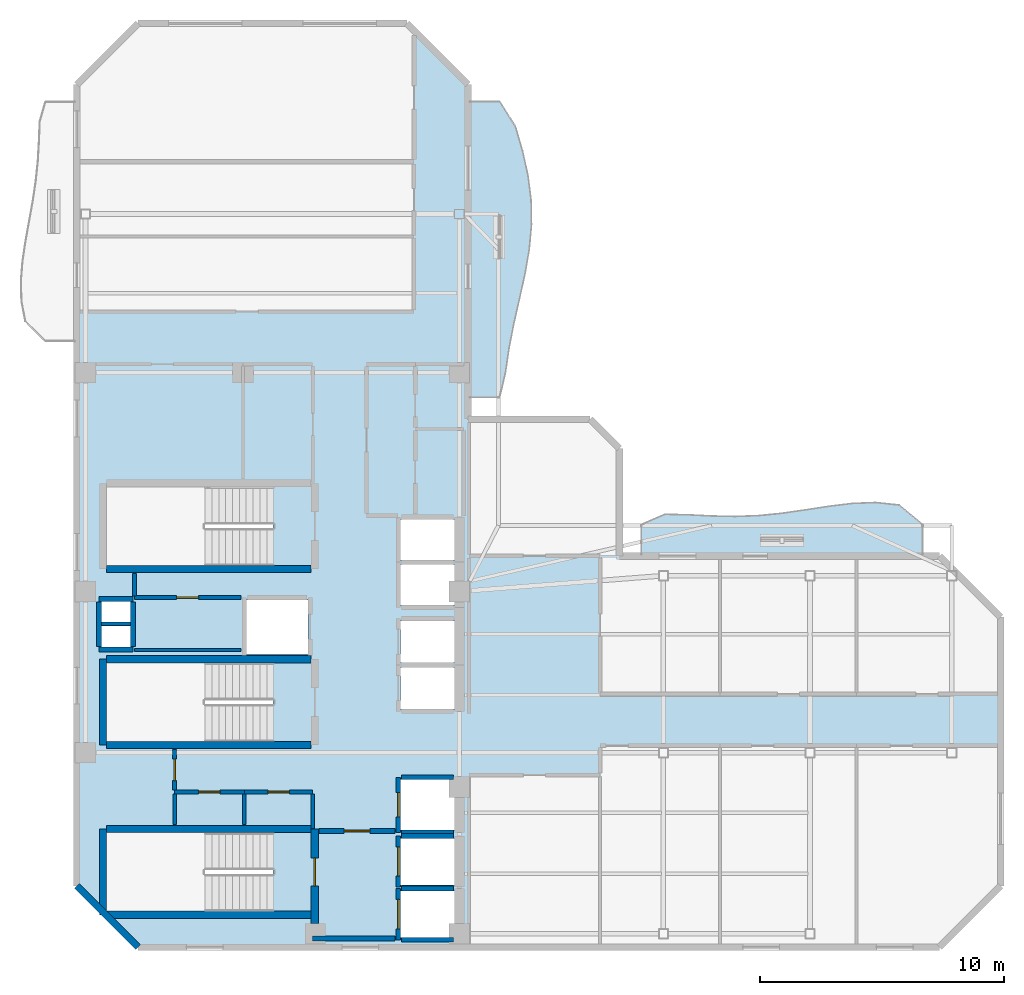
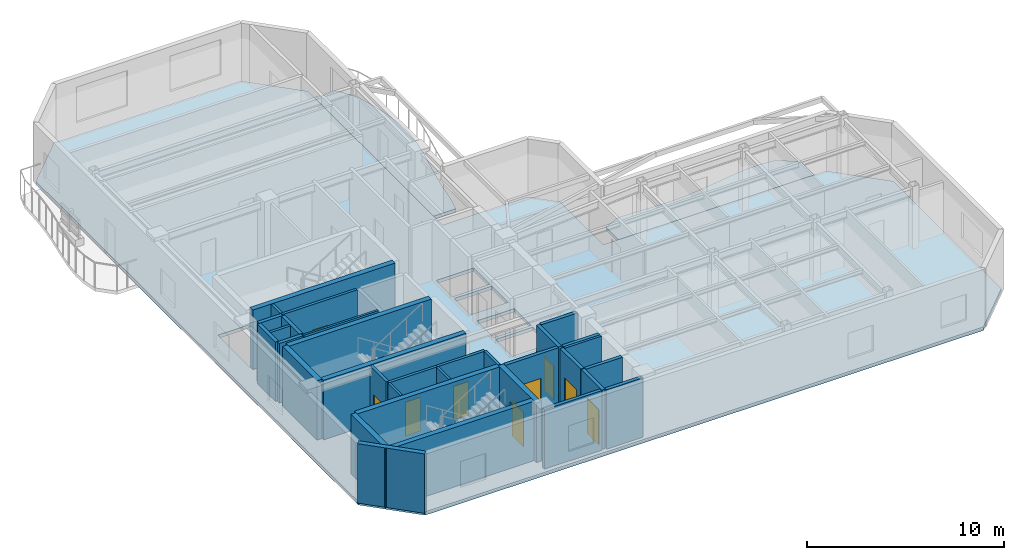
# One storey, part 2 of 7: 33 walls, 9 doors, 3 slabs, 9 openings.
"""IFC4 building model written with IfcOpenShell, lengths in metres."""

from ifc_helpers import new_model, si_unit, direction, frame, frame_2d, origin, place, context, subcontext, project, spatial, polyline, rectangle, outline, extrude, material, layer, layer_set, type_object, element, fill, save


model = new_model("IFC4")

# Units and contexts
model_context = context("Model", 3, precision=1e-05, world=origin(), true_north=direction((0.0, 1.0)))
body_context = subcontext(model_context, "Body", "Model", "MODEL_VIEW")
ifc_project = project(units=[si_unit("LENGTHUNIT", "METRE"), si_unit("AREAUNIT", "SQUARE_METRE"), si_unit("VOLUMEUNIT", "CUBIC_METRE"), si_unit("PLANEANGLEUNIT", "RADIAN"), si_unit("MASSUNIT", "GRAM", prefix="KILO")], contexts=[model_context])

# Site, building, storey
site_placement = place(None, origin())
site = spatial("IfcSite", under=ifc_project, at=site_placement, CompositionType="ELEMENT")
building_placement = place(site_placement, origin())
building = spatial("IfcBuilding", under=site, at=building_placement, Name="Mawjaban Terraces University", CompositionType="ELEMENT")
storey_placement = place(building_placement, frame((0.0, 0.0, 298.89990234375)))
storey = spatial("IfcBuildingStorey", under=building, at=storey_placement, Name="L73", CompositionType="ELEMENT", Elevation=298.89990234375)

# Slabs
ifc_material_1 = material(Name="Concrete C40/50", Category="concrete")
ifc_layer_1 = layer(ifc_material_1, 0.2099609375)
ifc_layer_set_1 = layer_set([ifc_layer_1], Name="Concrete C40/50")
slab_type_1 = type_object("IfcSlabType", Name="BalconySlab_210_Ext", PredefinedType="FLOOR", material=ifc_layer_set_1)
slab_1_placement = place(storey_placement, frame((0.0, 0.0, -0.2099609375)))
element("IfcSlab", 1, at=slab_1_placement, inside=storey, type_object=slab_type_1, Name="L73 Planted Balcony Slab inner_north", PredefinedType="FLOOR", context=body_context, shape_type="SweptSolid", body=[
    extrude(outline(polyline([(45.10009765625, 15.989990234375), (56.60009765625, 15.989990234375), (56.60009765625, 17.300048828125), (55.64208984375, 18.091064453125), (54.68310546875, 18.193115234375), (53.72509765625, 18.156005859375), (52.76708984375, 18.0390625), (51.80810546875, 17.89111328125), (50.85009765625, 17.751953125), (49.89208984375, 17.656982421875), (48.93310546875, 17.6220703125), (47.97509765625, 17.64208984375), (47.01708984375, 17.68994140625), (46.05810546875, 17.7099609375), (45.10009765625, 17.300048828125), (45.10009765625, 15.989990234375)])), origin(), (0.0, 0.0, 1.0), 0.2099609375),
])
slab_2_placement = place(storey_placement, frame((0.0, 0.0, -0.2099609375)))
element("IfcSlab", 2, at=slab_2_placement, inside=storey, type_object=slab_type_1, Name="L73 Planted Balcony Slab inner_east", PredefinedType="FLOOR", context=body_context, shape_type="SweptSolid", body=[
    extrude(outline(polyline([(39.300048828125, 22.5), (39.534912109375, 23.508056640625), (39.68310546875, 24.51708984375), (39.8798828125, 25.52490234375), (40.10888671875, 26.532958984375), (40.3330078125, 27.5419921875), (40.509033203125, 28.550048828125), (40.60009765625, 29.55810546875), (40.583984375, 30.56689453125), (40.4560546875, 31.574951171875), (40.23388671875, 32.5830078125), (39.93603515625, 33.592041015625), (39.300048828125, 34.60009765625), (37.989990234375, 34.60009765625), (37.989990234375, 22.5), (39.300048828125, 22.5)])), origin(), (0.0, 0.0, 1.0), 0.2099609375),
])
ifc_layer_2 = layer(ifc_material_1, 0.2099609375)
ifc_layer_set_2 = layer_set([ifc_layer_2], Name="Concrete C40/50")
slab_type_2 = type_object("IfcSlabType", Name="CompositeSlab_210", PredefinedType="FLOOR", material=ifc_layer_set_2)
slab_3_placement = place(storey_placement, frame((0.0, 0.0, -0.2099609375)))
element("IfcSlab", 3, at=slab_3_placement, inside=storey, type_object=slab_type_2, Name="L73 Primary Structural Slab", PredefinedType="FLOOR", context=body_context, shape_type="SweptSolid", body=[
    extrude(outline(polyline([(24.5, 0.0), (57.300048828125, 0.0), (59.800048828125, 2.5), (59.800048828125, 13.5), (57.300048828125, 16.0), (44.199951171875, 16.0), (44.199951171875, 20.39990234375), (43.0, 21.60009765625), (38.0, 21.60009765625), (38.0, 35.300048828125), (35.5, 37.800048828125), (24.5, 37.800048828125), (22.0, 35.300048828125), (22.0, 2.5), (24.5, 0.0)]), holes=[polyline([(30.014892578125, 4.699951171875), (23.199951171875, 4.699951171875), (23.199951171875, 1.449951171875), (30.014892578125, 1.449951171875), (30.014892578125, 4.699951171875)]), polyline([(30.014892578125, 18.85009765625), (23.199951171875, 18.85009765625), (23.199951171875, 15.60009765625), (30.014892578125, 15.60009765625), (30.014892578125, 18.85009765625)]), polyline([(30.014892578125, 11.64990234375), (23.199951171875, 11.64990234375), (23.199951171875, 8.39990234375), (30.014892578125, 8.39990234375), (30.014892578125, 11.64990234375)]), polyline([(35.25, 0.39990234375), (37.449951171875, 0.39990234375), (37.449951171875, 2.300048828125), (35.25, 2.300048828125), (35.25, 0.39990234375)]), polyline([(35.25, 2.550048828125), (37.449951171875, 2.550048828125), (37.449951171875, 4.449951171875), (35.25, 4.449951171875), (35.25, 2.550048828125)]), polyline([(35.25, 4.800048828125), (37.449951171875, 4.800048828125), (37.449951171875, 6.85009765625), (35.25, 6.85009765625), (35.25, 4.800048828125)]), polyline([(35.25, 9.75), (37.449951171875, 9.75), (37.449951171875, 11.449951171875), (35.25, 11.449951171875), (35.25, 9.75)]), polyline([(35.25, 11.64990234375), (37.449951171875, 11.64990234375), (37.449951171875, 13.35009765625), (35.25, 13.35009765625), (35.25, 11.64990234375)]), polyline([(28.949951171875, 12.0), (31.449951171875, 12.0), (31.449951171875, 14.199951171875), (28.949951171875, 14.199951171875), (28.949951171875, 12.0)]), polyline([(35.25, 14.0), (37.449951171875, 14.0), (37.449951171875, 15.64990234375), (35.25, 15.64990234375), (35.25, 14.0)]), polyline([(35.25, 15.85009765625), (37.449951171875, 15.85009765625), (37.449951171875, 17.5), (35.25, 17.5), (35.25, 15.85009765625)]), polyline([(23.0, 12.25), (24.199951171875, 12.25), (24.199951171875, 13.14990234375), (23.0, 13.14990234375), (23.0, 12.25)]), polyline([(23.0, 13.300048828125), (24.199951171875, 13.300048828125), (24.199951171875, 14.179931640625), (23.0, 14.179931640625), (23.0, 13.300048828125)])]), origin(), (0.0, 0.0, 1.0), 0.2099609375),
])

# Wall, opening, door
ifc_material_2 = material(Name="Fire-rated gypsum board on steel stud", Category="steel")
ifc_layer_3 = layer(ifc_material_2, 0.159912109375)
ifc_layer_set_3 = layer_set([ifc_layer_3], Name="Fire-rated gypsum board on steel stud")
wall_type_1 = type_object("IfcWallType", Name="CorridorPartition_160", PredefinedType="PARTITIONING", material=ifc_layer_set_3)
wall_1_placement = place(storey_placement, frame((24.35009765625, 14.300048828125, 0.0), z_axis=(0.0, 0.0, 1.0), x_axis=(1.0, 0.0, 0.0)))
wall_1 = element("IfcWall", 4, at=wall_1_placement, inside=storey, type_object=wall_type_1, Name="L73 Core Riser Access Passage Partition 2", PredefinedType="PARTITIONING", context=body_context, shape_type="SweptSolid", body=[
    extrude(rectangle(XDim=4.369873046875, YDim=0.159912109375, at=frame_2d((2.18505859375, 0.0))), origin(), (0.0, 0.0, 1.0), 3.690185546875),
])
opening_1_placement = place(wall_1_placement, frame((1.735107421875, 0.0, 0.0)))
opening_1 = element("IfcOpeningElement", 5, at=opening_1_placement, cuts=wall_1, Name="Opening ID-090", PredefinedType="OPENING", context=body_context, shape_type="SweptSolid", body=[
    extrude(rectangle(XDim=0.89990234375, YDim=2.10009765625, at=frame_2d((0.449951171875, 1.050048828125))), frame((0.0, 0.08984375, 0.0), z_axis=(0.0, -1.0, 0.0), x_axis=(1.0, 0.0, 0.0)), (0.0, 0.0, 1.0), 0.179931640625),
])
ifc_material_3 = material(Name="Powder-coated steel frame and solid acoustic timber leaf", Category="steel")
door_type_1 = type_object("IfcDoorType", Name="OfficeDoor_900x2100", OperationType="NOTDEFINED", PredefinedType="DOOR", material=ifc_material_3)
door_1_placement = place(opening_1_placement, origin())
door_1 = element("IfcDoor", 6, at=door_1_placement, inside=storey, type_object=door_type_1, Name="L73 Cleaner Store Door", OperationType="SINGLE_SWING_LEFT", OverallHeight=2.10009765625, OverallWidth=0.89990234375, PredefinedType="DOOR", context=body_context, shape_type="SweptSolid", body=[
    extrude(rectangle(XDim=0.89990234375, YDim=2.10009765625, at=frame_2d((0.449951171875, 1.050048828125))), frame((0.0, 0.02490234375, 0.0), z_axis=(0.0, -1.0, 0.0), x_axis=(1.0, 0.0, 0.0)), (0.0, 0.0, 1.0), 0.050048828125),
])
fill(opening_1, door_1)

wall_2_placement = place(storey_placement, frame((26.0, 6.35009765625, 0.0), z_axis=(0.0, 0.0, 1.0), x_axis=(1.0, 0.0, 0.0)))
wall_2 = element("IfcWall", 7, at=wall_2_placement, inside=storey, type_object=wall_type_1, Name="L73 Core Washroom Lobby Partition 3", PredefinedType="PARTITIONING", context=body_context, shape_type="SweptSolid", body=[
    extrude(rectangle(XDim=2.85009765625, YDim=0.159912109375, at=frame_2d((1.425048828125, 0.0))), origin(), (0.0, 0.0, 1.0), 3.690185546875),
])
opening_2_placement = place(wall_2_placement, frame((0.985107421875, 0.0, 0.0)))
opening_2 = element("IfcOpeningElement", 8, at=opening_2_placement, cuts=wall_2, Name="Opening ID-088", PredefinedType="OPENING", context=body_context, shape_type="SweptSolid", body=[
    extrude(rectangle(XDim=0.8798828125, YDim=2.10009765625, at=frame_2d((0.43994140625, 1.050048828125))), frame((0.0, 0.08984375, 0.0), z_axis=(0.0, -1.0, 0.0), x_axis=(1.0, 0.0, 0.0)), (0.0, 0.0, 1.0), 0.179931640625),
])
door_type_2 = type_object("IfcDoorType", Name="ToiletDoor_880x2100", OperationType="NOTDEFINED", PredefinedType="DOOR", material=ifc_material_3)
door_2_placement = place(opening_2_placement, origin())
door_2 = element("IfcDoor", 9, at=door_2_placement, inside=storey, type_object=door_type_2, Name="L73 Male Toilet Door", OperationType="SINGLE_SWING_LEFT", OverallHeight=2.10009765625, OverallWidth=0.8798828125, PredefinedType="DOOR", context=body_context, shape_type="SweptSolid", body=[
    extrude(rectangle(XDim=0.8798828125, YDim=2.10009765625, at=frame_2d((0.43994140625, 1.050048828125))), frame((0.0, 0.02490234375, 0.0), z_axis=(0.0, -1.0, 0.0), x_axis=(1.0, 0.0, 0.0)), (0.0, 0.0, 1.0), 0.050048828125),
])
fill(opening_2, door_2)

wall_3_placement = place(storey_placement, frame((28.85009765625, 6.35009765625, 0.0), z_axis=(0.0, 0.0, 1.0), x_axis=(1.0, 0.0, 0.0)))
wall_3 = element("IfcWall", 10, at=wall_3_placement, inside=storey, type_object=wall_type_1, Name="L73 Core Washroom Lobby Partition 5", PredefinedType="PARTITIONING", context=body_context, shape_type="SweptSolid", body=[
    extrude(rectangle(XDim=2.7998046875, YDim=0.159912109375, at=frame_2d((1.39990234375, 0.0))), origin(), (0.0, 0.0, 1.0), 3.690185546875),
])
opening_3_placement = place(wall_3_placement, frame((0.9599609375, 0.0, 0.0)))
opening_3 = element("IfcOpeningElement", 11, at=opening_3_placement, cuts=wall_3, Name="Opening ID-088", PredefinedType="OPENING", context=body_context, shape_type="SweptSolid", body=[
    extrude(rectangle(XDim=0.8798828125, YDim=2.10009765625, at=frame_2d((0.43994140625, 1.050048828125))), frame((0.0, 0.08984375, 0.0), z_axis=(0.0, -1.0, 0.0), x_axis=(1.0, 0.0, 0.0)), (0.0, 0.0, 1.0), 0.179931640625),
])
door_3_placement = place(opening_3_placement, origin())
door_3 = element("IfcDoor", 12, at=door_3_placement, inside=storey, type_object=door_type_2, Name="L73 Accessible Toilet Door", OperationType="SINGLE_SWING_RIGHT", OverallHeight=2.10009765625, OverallWidth=0.8798828125, PredefinedType="DOOR", context=body_context, shape_type="SweptSolid", body=[
    extrude(rectangle(XDim=0.8798828125, YDim=2.10009765625, at=frame_2d((0.43994140625, 1.050048828125))), frame((0.0, 0.02490234375, 0.0), z_axis=(0.0, -1.0, 0.0), x_axis=(1.0, 0.0, 0.0)), (0.0, 0.0, 1.0), 0.050048828125),
])
fill(opening_3, door_3)

# Wall
wall_4_placement = place(storey_placement, frame((24.35009765625, 15.2900390625, 0.0), z_axis=(0.0, 0.0, 1.0), x_axis=(0.0, -1.0, 0.0)))
element("IfcWall", 13, at=wall_4_placement, inside=storey, type_object=wall_type_1, Name="L73 Core Riser Access Passage Partition 24", PredefinedType="PARTITIONING", context=body_context, shape_type="SweptSolid", body=[
    extrude(rectangle(XDim=0.9150390625, YDim=0.159912109375, at=frame_2d((0.45751953125, 0.0))), origin(), (0.0, 0.0, 1.0), 3.690185546875),
])

# Wall, opening, door
wall_5_placement = place(storey_placement, frame((26.0, 8.090087890625, 0.0), z_axis=(0.0, 0.0, 1.0), x_axis=(0.0, -1.0, 0.0)))
wall_5 = element("IfcWall", 14, at=wall_5_placement, inside=storey, type_object=wall_type_1, Name="L73 Core Washroom Lobby Partition 26", PredefinedType="PARTITIONING", context=body_context, shape_type="SweptSolid", body=[
    extrude(rectangle(XDim=1.6650390625, YDim=0.159912109375, at=frame_2d((0.83251953125, 0.0))), origin(), (0.0, 0.0, 1.0), 3.690185546875),
])
opening_4_placement = place(wall_5_placement, frame((0.39306640625, 0.0, 0.0)))
opening_4 = element("IfcOpeningElement", 15, at=opening_4_placement, cuts=wall_5, Name="Opening ID-088", PredefinedType="OPENING", context=body_context, shape_type="SweptSolid", body=[
    extrude(rectangle(XDim=0.8798828125, YDim=2.10009765625, at=frame_2d((0.43994140625, 1.050048828125))), frame((0.0, 0.08984375, 0.0), z_axis=(0.0, -1.0, 0.0), x_axis=(1.0, 0.0, 0.0)), (0.0, 0.0, 1.0), 0.179931640625),
])
door_4_placement = place(opening_4_placement, origin())
door_4 = element("IfcDoor", 16, at=door_4_placement, inside=storey, type_object=door_type_2, Name="L73 Ablution Room Door", OperationType="SINGLE_SWING_RIGHT", OverallHeight=2.10009765625, OverallWidth=0.8798828125, PredefinedType="DOOR", context=body_context, shape_type="SweptSolid", body=[
    extrude(rectangle(XDim=0.8798828125, YDim=2.10009765625, at=frame_2d((0.43994140625, 1.050048828125))), frame((0.0, 0.02490234375, 0.0), z_axis=(0.0, -1.0, 0.0), x_axis=(1.0, 0.0, 0.0)), (0.0, 0.0, 1.0), 0.050048828125),
])
fill(opening_4, door_4)

# Walls
wall_6_placement = place(storey_placement, frame((31.64990234375, 4.860107421875, 0.0), z_axis=(0.0, 0.0, 1.0), x_axis=(0.0, 1.0, 0.0)))
element("IfcWall", 17, at=wall_6_placement, inside=storey, type_object=wall_type_1, Name="L73 Accessible Toilet Partition 29", PredefinedType="PARTITIONING", context=body_context, shape_type="SweptSolid", body=[
    extrude(rectangle(XDim=1.414794921875, YDim=0.159912109375, at=frame_2d((0.70751953125, 0.0))), origin(), (0.0, 0.0, 1.0), 3.690185546875),
])
ifc_material_4 = material(Name="Insulated terracotta rainscreen on concrete backup C40/50", Category="masonry")
ifc_layer_4 = layer(ifc_material_4, 0.27490234375)
ifc_layer_set_4 = layer_set([ifc_layer_4], Name="Insulated terracotta rainscreen on concrete backup C40/50")
wall_type_2 = type_object("IfcWallType", Name="ExtTerracottaWall_275", PredefinedType="SOLIDWALL", material=ifc_layer_set_4)
wall_7_placement = place(storey_placement, frame((22.0, 2.5, 0.0), z_axis=(0.0, 0.0, 1.0), x_axis=(0.707106781187, -0.707106781187, 0.0)))
element("IfcWall", 18, at=wall_7_placement, inside=storey, type_object=wall_type_2, Name="L73 Exterior Terracotta Wall 14", PredefinedType="SOLIDWALL", context=body_context, shape_type="SweptSolid", body=[
    extrude(rectangle(XDim=3.53564453125, YDim=0.27490234375, at=frame_2d((1.767822265625, 0.0))), origin(), (0.0, 0.0, 1.0), 3.690185546875),
])

# Wall, opening, door
ifc_layer_5 = layer(ifc_material_1, 0.199951171875)
ifc_layer_set_5 = layer_set([ifc_layer_5], Name="Concrete C40/50")
wall_type_3 = type_object("IfcWallType", Name="FireLobbyWall_200", PredefinedType="SOLIDWALL", material=ifc_layer_set_5)
wall_8_placement = place(storey_placement, frame((35.14990234375, 2.39990234375, 0.0), z_axis=(0.0, 0.0, 1.0), x_axis=(0.0, -1.0, 0.0)))
wall_8 = element("IfcWall", 19, at=wall_8_placement, inside=storey, type_object=wall_type_3, Name="L73 Lift FL-1 Hoistway Wall West", PredefinedType="SOLIDWALL", context=body_context, shape_type="SweptSolid", body=[
    extrude(rectangle(XDim=2.099853515625, YDim=0.199951171875, at=frame_2d((1.0498046875, 0.0))), origin(), (0.0, 0.0, 1.0), 3.690185546875),
])
opening_5_placement = place(wall_8_placement, frame((0.449951171875, 0.0, 0.0)))
opening_5 = element("IfcOpeningElement", 20, at=opening_5_placement, cuts=wall_8, Name="Opening LD-FL-1", PredefinedType="OPENING", context=body_context, shape_type="SweptSolid", body=[
    extrude(rectangle(XDim=1.199951171875, YDim=2.14990234375, at=frame_2d((0.60009765625, 1.074951171875))), frame((0.0, 0.10986328125, 0.0), z_axis=(0.0, -1.0, 0.0), x_axis=(1.0, 0.0, 0.0)), (0.0, 0.0, 1.0), 0.219970703125),
])
ifc_material_5 = material(Name="Powder-coated steel frame and fire-rated steel-faced leaf", Category="steel")
door_type_3 = type_object("IfcDoorType", Name="LiftLandingFSAE_1200x2150", OperationType="NOTDEFINED", PredefinedType="DOOR", material=ifc_material_5)
door_5_placement = place(opening_5_placement, origin())
door_5 = element("IfcDoor", 21, at=door_5_placement, inside=storey, type_object=door_type_3, Name="L73 Lift FL-1 Sliding Landing Door", OperationType="DOUBLE_DOOR_SLIDING", OverallHeight=2.14990234375, OverallWidth=1.199951171875, PredefinedType="DOOR", context=body_context, shape_type="SweptSolid", body=[
    extrude(rectangle(XDim=1.199951171875, YDim=2.14990234375, at=frame_2d((0.60009765625, 1.074951171875))), frame((0.0, 0.02490234375, 0.0), z_axis=(0.0, -1.0, 0.0), x_axis=(1.0, 0.0, 0.0)), (0.0, 0.0, 1.0), 0.050048828125),
])
fill(opening_5, door_5)

# Walls
for number, where, z_axis, x_axis, name in (
    (22, (35.280029296875, 0.300048828125, 0.0), (0.0, 0.0, 1.0), (1.0, 0.0, 0.0), "L73 Lift FL-1 Hoistway Wall South"),
    (23, (37.419921875, 2.39990234375, 0.0), (0.0, 0.0, 1.0), (-1.0, 0.0, 0.0), "L73 Lift FL-1 Hoistway Wall North"),
):
    element("IfcWall", number, at=place(storey_placement, frame(where, z_axis=z_axis, x_axis=x_axis)), inside=storey, type_object=wall_type_3, Name=name, PredefinedType="SOLIDWALL", context=body_context, shape_type="SweptSolid", body=[
        extrude(rectangle(XDim=2.139892578125, YDim=0.199951171875, at=frame_2d((1.06982421875, 0.0))), origin(), (0.0, 0.0, 1.0), 3.690185546875),
    ])

# Wall, opening, door
wall_9_placement = place(storey_placement, frame((35.14990234375, 4.550048828125, 0.0), z_axis=(0.0, 0.0, 1.0), x_axis=(0.0, -1.0, 0.0)))
wall_9 = element("IfcWall", 24, at=wall_9_placement, inside=storey, type_object=wall_type_3, Name="L73 Lift FL-2 Hoistway Wall West", PredefinedType="SOLIDWALL", context=body_context, shape_type="SweptSolid", body=[
    extrude(rectangle(XDim=2.10009765625, YDim=0.199951171875, at=frame_2d((1.050048828125, 0.0))), origin(), (0.0, 0.0, 1.0), 3.690185546875),
])
opening_6_placement = place(wall_9_placement, frame((0.449951171875, 0.0, 0.0)))
opening_6 = element("IfcOpeningElement", 25, at=opening_6_placement, cuts=wall_9, Name="Opening LD-FL-2", PredefinedType="OPENING", context=body_context, shape_type="SweptSolid", body=[
    extrude(rectangle(XDim=1.199951171875, YDim=2.14990234375, at=frame_2d((0.60009765625, 1.074951171875))), frame((0.0, 0.10986328125, 0.0), z_axis=(0.0, -1.0, 0.0), x_axis=(1.0, 0.0, 0.0)), (0.0, 0.0, 1.0), 0.219970703125),
])
door_6_placement = place(opening_6_placement, origin())
door_6 = element("IfcDoor", 26, at=door_6_placement, inside=storey, type_object=door_type_3, Name="L73 Lift FL-2 Sliding Landing Door", OperationType="DOUBLE_DOOR_SLIDING", OverallHeight=2.14990234375, OverallWidth=1.199951171875, PredefinedType="DOOR", context=body_context, shape_type="SweptSolid", body=[
    extrude(rectangle(XDim=1.199951171875, YDim=2.14990234375, at=frame_2d((0.60009765625, 1.074951171875))), frame((0.0, 0.02490234375, 0.0), z_axis=(0.0, -1.0, 0.0), x_axis=(1.0, 0.0, 0.0)), (0.0, 0.0, 1.0), 0.050048828125),
])
fill(opening_6, door_6)

# Wall
wall_10_placement = place(storey_placement, frame((37.419921875, 4.550048828125, 0.0), z_axis=(0.0, 0.0, 1.0), x_axis=(-1.0, 0.0, 0.0)))
element("IfcWall", 27, at=wall_10_placement, inside=storey, type_object=wall_type_3, Name="L73 Lift FL-2 Hoistway Wall North", PredefinedType="SOLIDWALL", context=body_context, shape_type="SweptSolid", body=[
    extrude(rectangle(XDim=2.139892578125, YDim=0.199951171875, at=frame_2d((1.06982421875, 0.0))), origin(), (0.0, 0.0, 1.0), 3.690185546875),
])

# Wall, opening, door
wall_11_placement = place(storey_placement, frame((35.14990234375, 6.949951171875, 0.0), z_axis=(0.0, 0.0, 1.0), x_axis=(0.0, -1.0, 0.0)))
wall_11 = element("IfcWall", 28, at=wall_11_placement, inside=storey, type_object=wall_type_3, Name="L73 Lift SL-1 Hoistway Wall West", PredefinedType="SOLIDWALL", context=body_context, shape_type="SweptSolid", body=[
    extrude(rectangle(XDim=2.25, YDim=0.199951171875, at=frame_2d((1.125, 0.0))), origin(), (0.0, 0.0, 1.0), 3.690185546875),
])
opening_7_placement = place(wall_11_placement, frame((0.625, 0.0, 0.0)))
opening_7 = element("IfcOpeningElement", 29, at=opening_7_placement, cuts=wall_11, Name="Opening LD-SL-1", PredefinedType="OPENING", context=body_context, shape_type="SweptSolid", body=[
    extrude(rectangle(XDim=1.0, YDim=2.10009765625, at=frame_2d((0.5, 1.050048828125))), frame((0.0, 0.10986328125, 0.0), z_axis=(0.0, -1.0, 0.0), x_axis=(1.0, 0.0, 0.0)), (0.0, 0.0, 1.0), 0.219970703125),
])
door_type_4 = type_object("IfcDoorType", Name="LiftLandingSliding_1000x2100", OperationType="NOTDEFINED", PredefinedType="DOOR", material=ifc_material_5)
door_7_placement = place(opening_7_placement, origin())
door_7 = element("IfcDoor", 30, at=door_7_placement, inside=storey, type_object=door_type_4, Name="L73 Lift SL-1 Sliding Landing Door", OperationType="DOUBLE_DOOR_SLIDING", OverallHeight=2.10009765625, OverallWidth=1.0, PredefinedType="DOOR", context=body_context, shape_type="SweptSolid", body=[
    extrude(rectangle(XDim=1.0, YDim=2.10009765625, at=frame_2d((0.5, 1.050048828125))), frame((0.0, 0.02490234375, 0.0), z_axis=(0.0, -1.0, 0.0), x_axis=(1.0, 0.0, 0.0)), (0.0, 0.0, 1.0), 0.050048828125),
])
fill(opening_7, door_7)

# Walls
for number, where, z_axis, x_axis, name in (
    (31, (35.280029296875, 4.699951171875, 0.0), (0.0, 0.0, 1.0), (1.0, 0.0, 0.0), "L73 Lift SL-1 Hoistway Wall South"),
    (32, (37.419921875, 6.949951171875, 0.0), (0.0, 0.0, 1.0), (-1.0, 0.0, 0.0), "L73 Lift SL-1 Hoistway Wall North"),
):
    element("IfcWall", number, at=place(storey_placement, frame(where, z_axis=z_axis, x_axis=x_axis)), inside=storey, type_object=wall_type_3, Name=name, PredefinedType="SOLIDWALL", context=body_context, shape_type="SweptSolid", body=[
        extrude(rectangle(XDim=2.139892578125, YDim=0.199951171875, at=frame_2d((1.06982421875, 0.0))), origin(), (0.0, 0.0, 1.0), 3.690185546875),
    ])
for number, where, z_axis, x_axis, name in (
    (33, (22.89990234375, 14.25, 0.0), (0.0, 0.0, 1.0), (1.0, 0.0, 0.0), "L73 MEP Riser Shaft Wall N"),
    (34, (22.89990234375, 12.179931640625, 0.0), (0.0, 0.0, 1.0), (1.0, 0.0, 0.0), "L73 MEP Riser Shaft Wall S"),
):
    element("IfcWall", number, at=place(storey_placement, frame(where, z_axis=z_axis, x_axis=x_axis)), inside=storey, type_object=wall_type_3, Name=name, PredefinedType="SOLIDWALL", context=body_context, shape_type="SweptSolid", body=[
        extrude(rectangle(XDim=1.400146484375, YDim=0.199951171875, at=frame_2d((0.7001953125, 0.0))), origin(), (0.0, 0.0, 1.0), 3.690185546875),
    ])
for number, where, z_axis, x_axis, name in (
    (35, (24.300048828125, 12.300048828125, 0.0), (0.0, 0.0, 1.0), (0.0, 1.0, 0.0), "L73 MEP Riser Shaft Wall E"),
    (36, (22.89990234375, 12.300048828125, 0.0), (0.0, 0.0, 1.0), (0.0, 1.0, 0.0), "L73 MEP Riser Shaft Wall W"),
):
    element("IfcWall", number, at=place(storey_placement, frame(where, z_axis=z_axis, x_axis=x_axis)), inside=storey, type_object=wall_type_3, Name=name, PredefinedType="SOLIDWALL", context=body_context, shape_type="SweptSolid", body=[
        extrude(rectangle(XDim=1.829833984375, YDim=0.199951171875, at=frame_2d((0.9150390625, 0.0))), origin(), (0.0, 0.0, 1.0), 3.690185546875),
    ])
wall_12_placement = place(storey_placement, frame((31.64990234375, 0.35009765625, 0.0), z_axis=(0.0, 0.0, 1.0), x_axis=(1.0, 0.0, 0.0)))
element("IfcWall", 37, at=wall_12_placement, inside=storey, type_object=wall_type_3, Name="L73 Firefighting Lift Lobby Partition 6", PredefinedType="SOLIDWALL", context=body_context, shape_type="SweptSolid", body=[
    extrude(rectangle(XDim=3.3701171875, YDim=0.199951171875, at=frame_2d((1.68505859375, 0.0))), origin(), (0.0, 0.0, 1.0), 3.690185546875),
])

# Wall, opening, door
wall_13_placement = place(storey_placement, frame((35.02001953125, 4.75, 0.0), z_axis=(0.0, 0.0, 1.0), x_axis=(-1.0, 0.0, 0.0)))
wall_13 = element("IfcWall", 38, at=wall_13_placement, inside=storey, type_object=wall_type_3, Name="L73 Firefighting Lift Lobby Partition 9", PredefinedType="SOLIDWALL", context=body_context, shape_type="SweptSolid", body=[
    extrude(rectangle(XDim=3.110107421875, YDim=0.199951171875, at=frame_2d((1.55517578125, 0.0))), origin(), (0.0, 0.0, 1.0), 3.690185546875),
])
opening_8_placement = place(wall_13_placement, frame((1.030029296875, 0.0, 0.0)))
opening_8 = element("IfcOpeningElement", 39, at=opening_8_placement, cuts=wall_13, Name="Opening FD-105", PredefinedType="OPENING", context=body_context, shape_type="SweptSolid", body=[
    extrude(rectangle(XDim=1.050048828125, YDim=2.14990234375, at=frame_2d((0.52490234375, 1.074951171875))), frame((0.0, 0.10986328125, 0.0), z_axis=(0.0, -1.0, 0.0), x_axis=(1.0, 0.0, 0.0)), (0.0, 0.0, 1.0), 0.219970703125),
])
door_type_5 = type_object("IfcDoorType", Name="FireLobbyDoor_1050x2150", OperationType="NOTDEFINED", PredefinedType="DOOR", material=ifc_material_5)
door_8_placement = place(opening_8_placement, origin())
door_8 = element("IfcDoor", 40, at=door_8_placement, inside=storey, type_object=door_type_5, Name="L73 Firefighting Lift Lobby Door", OperationType="SINGLE_SWING_LEFT", OverallHeight=2.14990234375, OverallWidth=1.050048828125, PredefinedType="DOOR", context=body_context, shape_type="SweptSolid", body=[
    extrude(rectangle(XDim=1.050048828125, YDim=2.14990234375, at=frame_2d((0.52490234375, 1.074951171875))), frame((0.0, 0.02490234375, 0.0), z_axis=(0.0, -1.0, 0.0), x_axis=(1.0, 0.0, 0.0)), (0.0, 0.0, 1.0), 0.050048828125),
])
fill(opening_8, door_8)

# Walls
ifc_material_6 = material(Name="Moisture-resistant gypsum board on steel stud", Category="steel")
ifc_layer_6 = layer(ifc_material_6, 0.14501953125)
ifc_layer_set_6 = layer_set([ifc_layer_6], Name="Moisture-resistant gypsum board on steel stud")
wall_type_4 = type_object("IfcWallType", Name="LabPartition_145", PredefinedType="PARTITIONING", material=ifc_layer_set_6)
wall_14_placement = place(storey_placement, frame((23.010009765625, 13.22509765625, 0.0), z_axis=(0.0, 0.0, 1.0), x_axis=(1.0, 0.0, 0.0)))
element("IfcWall", 41, at=wall_14_placement, inside=storey, type_object=wall_type_4, Name="L73 MEP Riser Shaft Wall M", PredefinedType="PARTITIONING", context=body_context, shape_type="SweptSolid", body=[
    extrude(rectangle(XDim=1.179931640625, YDim=0.14501953125, at=frame_2d((0.58984375, 0.0))), origin(), (0.0, 0.0, 1.0), 3.690185546875),
])
ifc_material_7 = material(Name="Gypsum plasterboard on steel stud", Category="steel")
ifc_layer_7 = layer(ifc_material_7, 0.125)
ifc_layer_set_7 = layer_set([ifc_layer_7], Name="Gypsum plasterboard on steel stud")
wall_type_5 = type_object("IfcWallType", Name="OfficePartition_125", PredefinedType="PARTITIONING", material=ifc_layer_set_7)
wall_15_placement = place(storey_placement, frame((24.35009765625, 12.14990234375, 0.0), z_axis=(0.0, 0.0, 1.0), x_axis=(1.0, 0.0, 0.0)))
element("IfcWall", 42, at=wall_15_placement, inside=storey, type_object=wall_type_5, Name="L73 Cleaner Store Partition 1", PredefinedType="PARTITIONING", context=body_context, shape_type="SweptSolid", body=[
    extrude(rectangle(XDim=4.369873046875, YDim=0.125, at=frame_2d((2.18505859375, 0.0))), origin(), (0.0, 0.0, 1.0), 3.690185546875),
])
ifc_material_8 = material(Name="Concrete C60/75", Category="concrete")
ifc_layer_8 = layer(ifc_material_8, 0.300048828125)
ifc_layer_set_8 = layer_set([ifc_layer_8], Name="Concrete C60/75")
wall_type_6 = type_object("IfcWallType", Name="StairShaftWall_300", PredefinedType="SHEAR", material=ifc_layer_set_8)
wall_16_placement = place(storey_placement, frame((31.580078125, 4.830078125, 0.0), z_axis=(0.0, 0.0, 1.0), x_axis=(-1.0, 0.0, 0.0)))
element("IfcWall", 43, at=wall_16_placement, inside=storey, type_object=wall_type_6, Name="L73 ST-1 Stair Shaft Wall 1", PredefinedType="SHEAR", context=body_context, shape_type="SweptSolid", body=[
    extrude(rectangle(XDim=8.360107421875, YDim=0.300048828125, at=frame_2d((4.18017578125, 0.0))), origin(), (0.0, 0.0, 1.0), 3.690185546875),
])
wall_17_placement = place(storey_placement, frame((23.070068359375, 4.830078125, 0.0), z_axis=(0.0, 0.0, 1.0), x_axis=(0.0, -1.0, 0.0)))
element("IfcWall", 44, at=wall_17_placement, inside=storey, type_object=wall_type_6, Name="L73 ST-1 Stair Shaft Wall 2", PredefinedType="SHEAR", context=body_context, shape_type="SweptSolid", body=[
    extrude(rectangle(XDim=3.510009765625, YDim=0.300048828125, at=frame_2d((1.7548828125, 0.0))), origin(), (0.0, 0.0, 1.0), 3.690185546875),
])
wall_18_placement = place(storey_placement, frame((23.219970703125, 1.320068359375, 0.0), z_axis=(0.0, 0.0, 1.0), x_axis=(1.0, 0.0, 0.0)))
element("IfcWall", 45, at=wall_18_placement, inside=storey, type_object=wall_type_6, Name="L73 ST-1 Stair Shaft Wall 3", PredefinedType="SHEAR", context=body_context, shape_type="SweptSolid", body=[
    extrude(rectangle(XDim=8.360107421875, YDim=0.300048828125, at=frame_2d((4.18017578125, 0.0))), origin(), (0.0, 0.0, 1.0), 3.690185546875),
])

# Wall, opening, door
wall_19_placement = place(storey_placement, frame((31.72998046875, 0.9599609375, 0.0), z_axis=(0.0, 0.0, 1.0), x_axis=(0.0, 1.0, 0.0)))
wall_19 = element("IfcWall", 46, at=wall_19_placement, inside=storey, type_object=wall_type_6, Name="L73 ST-1 Stair Shaft Wall 4", PredefinedType="SHEAR", context=body_context, shape_type="SweptSolid", body=[
    extrude(rectangle(XDim=3.8701171875, YDim=0.300048828125, at=frame_2d((1.93505859375, 0.0))), origin(), (0.0, 0.0, 1.0), 3.690185546875),
])
opening_9_placement = place(wall_19_placement, frame((1.5400390625, 0.0, 0.0)))
opening_9 = element("IfcOpeningElement", 47, at=opening_9_placement, cuts=wall_19, Name="Opening FD-115", PredefinedType="OPENING", context=body_context, shape_type="SweptSolid", body=[
    extrude(rectangle(XDim=1.14990234375, YDim=2.14990234375, at=frame_2d((0.574951171875, 1.074951171875))), frame((0.0, 0.159912109375, 0.0), z_axis=(0.0, -1.0, 0.0), x_axis=(1.0, 0.0, 0.0)), (0.0, 0.0, 1.0), 0.320068359375),
])
door_type_6 = type_object("IfcDoorType", Name="FireStairDoor_1150x2150", OperationType="NOTDEFINED", PredefinedType="DOOR", material=ifc_material_5)
door_9_placement = place(opening_9_placement, origin())
door_9 = element("IfcDoor", 48, at=door_9_placement, inside=storey, type_object=door_type_6, Name="L73 ST-1 Pressurised Stair Fire Door", OperationType="SINGLE_SWING_RIGHT", OverallHeight=2.14990234375, OverallWidth=1.14990234375, PredefinedType="DOOR", context=body_context, shape_type="SweptSolid", body=[
    extrude(rectangle(XDim=1.14990234375, YDim=2.14990234375, at=frame_2d((0.574951171875, 1.074951171875))), frame((0.0, 0.02490234375, 0.0), z_axis=(0.0, -1.0, 0.0), x_axis=(1.0, 0.0, 0.0)), (0.0, 0.0, 1.0), 0.050048828125),
])
fill(opening_9, door_9)

# Walls
for number, where, z_axis, x_axis, name in (
    (49, (23.219970703125, 15.469970703125, 0.0), (0.0, 0.0, 1.0), (1.0, 0.0, 0.0), "L73 ST-2 Stair Shaft Wall 3"),
    (50, (31.580078125, 11.780029296875, 0.0), (0.0, 0.0, 1.0), (-1.0, 0.0, 0.0), "L73 ST-3 Stair Shaft Wall 1"),
):
    element("IfcWall", number, at=place(storey_placement, frame(where, z_axis=z_axis, x_axis=x_axis)), inside=storey, type_object=wall_type_6, Name=name, PredefinedType="SHEAR", context=body_context, shape_type="SweptSolid", body=[
        extrude(rectangle(XDim=8.360107421875, YDim=0.300048828125, at=frame_2d((4.18017578125, 0.0))), origin(), (0.0, 0.0, 1.0), 3.690185546875),
    ])
wall_20_placement = place(storey_placement, frame((23.070068359375, 11.780029296875, 0.0), z_axis=(0.0, 0.0, 1.0), x_axis=(0.0, -1.0, 0.0)))
element("IfcWall", 51, at=wall_20_placement, inside=storey, type_object=wall_type_6, Name="L73 ST-3 Stair Shaft Wall 2", PredefinedType="SHEAR", context=body_context, shape_type="SweptSolid", body=[
    extrude(rectangle(XDim=3.510009765625, YDim=0.300048828125, at=frame_2d((1.7548828125, 0.0))), origin(), (0.0, 0.0, 1.0), 3.690185546875),
])
wall_21_placement = place(storey_placement, frame((23.219970703125, 8.27001953125, 0.0), z_axis=(0.0, 0.0, 1.0), x_axis=(1.0, 0.0, 0.0)))
element("IfcWall", 52, at=wall_21_placement, inside=storey, type_object=wall_type_6, Name="L73 ST-3 Stair Shaft Wall 3", PredefinedType="SHEAR", context=body_context, shape_type="SweptSolid", body=[
    extrude(rectangle(XDim=8.360107421875, YDim=0.300048828125, at=frame_2d((4.18017578125, 0.0))), origin(), (0.0, 0.0, 1.0), 3.690185546875),
])
ifc_material_9 = material(Name="Cement-board wet-room partition", Category="masonry")
ifc_layer_9 = layer(ifc_material_9, 0.135009765625)
ifc_layer_set_9 = layer_set([ifc_layer_9], Name="Cement-board wet-room partition")
wall_type_7 = type_object("IfcWallType", Name="WetRoomPartition_135", PredefinedType="PARTITIONING", material=ifc_layer_set_9)
for number, where, z_axis, x_axis, name in (
    (53, (26.0, 5.010009765625, 0.0), (0.0, 0.0, 1.0), (0.0, 1.0, 0.0), "L73 Ablution Room Partition 25"),
    (54, (28.85009765625, 5.010009765625, 0.0), (0.0, 0.0, 1.0), (0.0, 1.0, 0.0), "L73 Male Toilet Partition 28"),
):
    element("IfcWall", number, at=place(storey_placement, frame(where, z_axis=z_axis, x_axis=x_axis)), inside=storey, type_object=wall_type_7, Name=name, PredefinedType="PARTITIONING", context=body_context, shape_type="SweptSolid", body=[
        extrude(rectangle(XDim=1.264892578125, YDim=0.135009765625, at=frame_2d((0.63232421875, 0.0))), origin(), (0.0, 0.0, 1.0), 3.690185546875),
    ])

save(model, "model.ifc")
